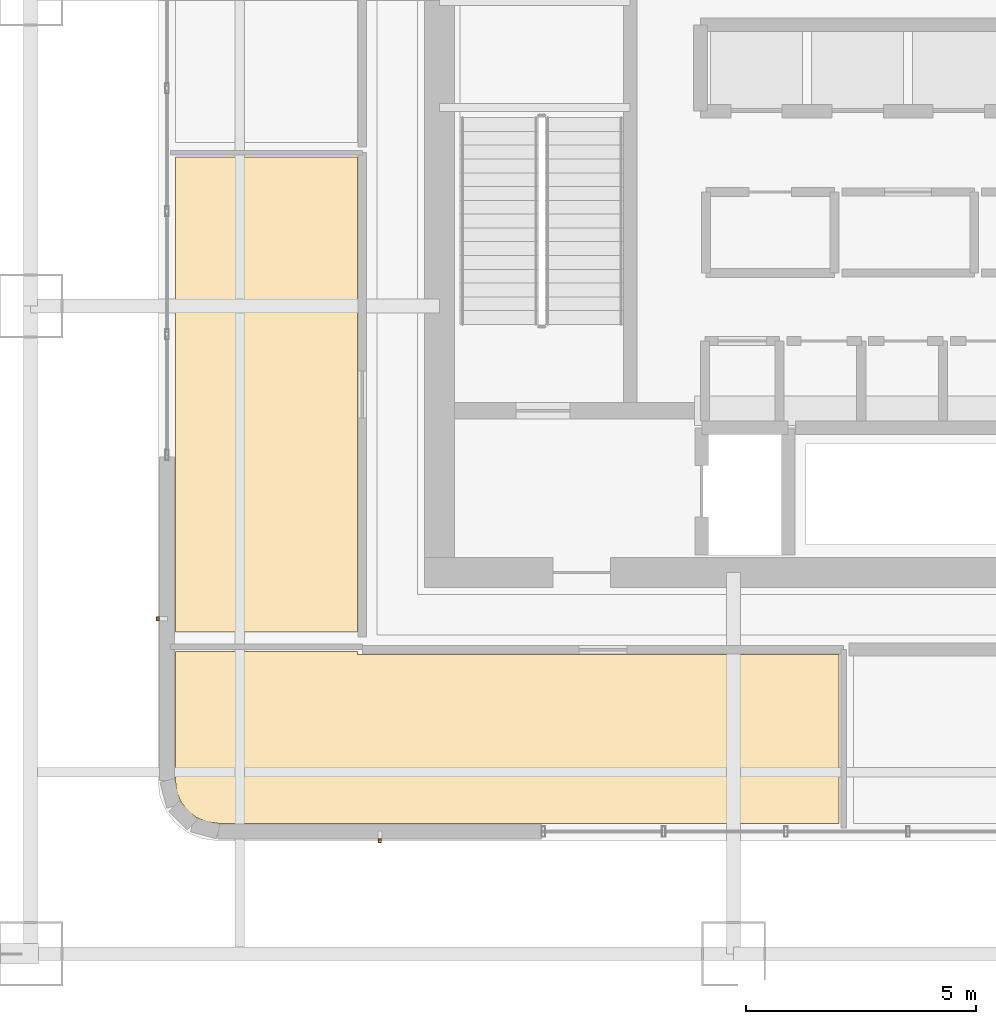
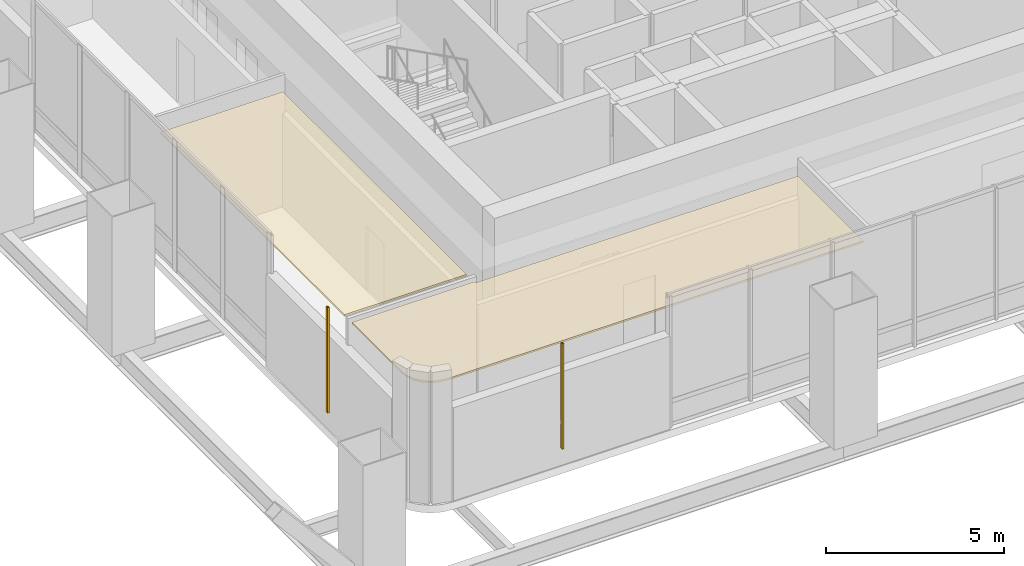
# One storey, part 21 of 30: 2 coverings, 2 shading devices.
"""IFC4 building model written with IfcOpenShell, lengths in metres."""

from ifc_helpers import new_model, si_unit, direction, frame, origin, origin_2d, place, context, subcontext, project, spatial, polyline, hollow_rectangle, outline, extrude, material, layer, layer_set, material_profile, profile_set, type_object, element, save


model = new_model("IFC4")

# Units and contexts
model_context = context("Model", 3, precision=1e-05, world=origin(), true_north=direction((0.0, 1.0)))
body_context = subcontext(model_context, "Body", "Model", "MODEL_VIEW")
ifc_project = project(units=[si_unit("LENGTHUNIT", "METRE"), si_unit("AREAUNIT", "SQUARE_METRE"), si_unit("VOLUMEUNIT", "CUBIC_METRE"), si_unit("PLANEANGLEUNIT", "RADIAN"), si_unit("MASSUNIT", "GRAM", prefix="KILO")], contexts=[model_context])

# Site, building, storey
site_placement = place(None, origin())
site = spatial("IfcSite", under=ifc_project, at=site_placement, CompositionType="ELEMENT")
building_placement = place(site_placement, origin())
building = spatial("IfcBuilding", under=site, at=building_placement, Name="Punatoya Terracotta Tower", CompositionType="ELEMENT")
storey_placement = place(building_placement, frame((0.0, 0.0, 135.0)))
storey = spatial("IfcBuildingStorey", under=building, at=storey_placement, Name="L31", CompositionType="ELEMENT", Elevation=135.0)

# Coverings
ifc_material_1 = material(Name="Acoustic Mineral Fibre Ceiling")
ifc_layer = layer(ifc_material_1, 0.06005859375)
ifc_layer_set = layer_set([ifc_layer], Name="Acoustic Mineral Fibre Ceiling")
covering_type = type_object("IfcCoveringType", Name="COV-CEIL-60", PredefinedType="CEILING", material=ifc_layer_set)
covering_1_placement = place(storey_placement, frame((0.0, 0.0, 3.929931640625)))
element("IfcCovering", 1, at=covering_1_placement, inside=storey, type_object=covering_type, Name="L31 Sky Lobby Transfer Lounge Acoustic Ceiling", PredefinedType="CEILING", context=body_context, shape_type="SweptSolid", body=[
    extrude(outline(polyline([(-15.67822265625, -14.38818359375), (-15.48828125, -14.533935546875), (-15.267333984375, -14.62548828125), (-15.005126953125, -14.659912109375), (-1.506103515625, -14.659912109375), (-1.506103515625, -10.97998046875), (-11.97998046875, -10.97998046875), (-11.97998046875, -10.919921875), (-15.949951171875, -10.919921875), (-15.949951171875, -13.715087890625), (-15.91552734375, -13.977294921875), (-15.823974609375, -14.1982421875), (-15.67822265625, -14.38818359375)])), origin(), (0.0, 0.0, 1.0), 0.06005859375),
])
covering_2_placement = place(storey_placement, frame((0.0, 0.0, 3.929931640625)))
element("IfcCovering", 2, at=covering_2_placement, inside=storey, type_object=covering_type, Name="L31 Client Symposium Boardroom Acoustic Ceiling", PredefinedType="CEILING", context=body_context, shape_type="SweptSolid", body=[
    extrude(outline(polyline([(-15.949951171875, -0.159912109375), (-15.949951171875, -10.5), (-11.97998046875, -10.5), (-11.97998046875, -0.159912109375), (-15.949951171875, -0.159912109375)])), origin(), (0.0, 0.0, 1.0), 0.06005859375),
])

# Shading devices
ifc_material_2 = material(Name="Architectural Fired Terracotta", Category="masonry")
ifc_material_profile = material_profile(ifc_material_2, hollow_rectangle(XDim=0.06005859375, YDim=0.090087890625, WallThickness=0.013916015625, at=origin_2d()))
ifc_profile_set = profile_set([ifc_material_profile], Name="Architectural Fired Terracotta")
shading_device_type = type_object("IfcShadingDeviceType", Name="SHD-JALI-90", PredefinedType="JALOUSIE", material=ifc_profile_set)
for number, where, z_axis, x_axis, name in (
    (3, (-11.49853515625, -15.0400390625, 0.60009765625), (0.0, 0.0, 1.0), (1.0, 0.0, 0.0), "L31 Braced Bay Terracotta Jali Fin S1"),
    (4, (-16.330078125, -10.20849609375, 0.60009765625), (0.0, 0.0, 1.0), (1.0, 0.0, 0.0), "L31 Braced Bay Terracotta Jali Fin W2"),
):
    element("IfcShadingDevice", number, at=place(storey_placement, frame(where, z_axis=z_axis, x_axis=x_axis)), inside=storey, type_object=shading_device_type, Name=name, PredefinedType="JALOUSIE", context=body_context, shape_type="SweptSolid", body=[
        extrude(hollow_rectangle(XDim=0.06005859375, YDim=0.090087890625, WallThickness=0.013916015625, at=origin_2d()), origin(), (0.0, 0.0, 1.0), 3.619873046875),
    ])

save(model, "model.ifc")
